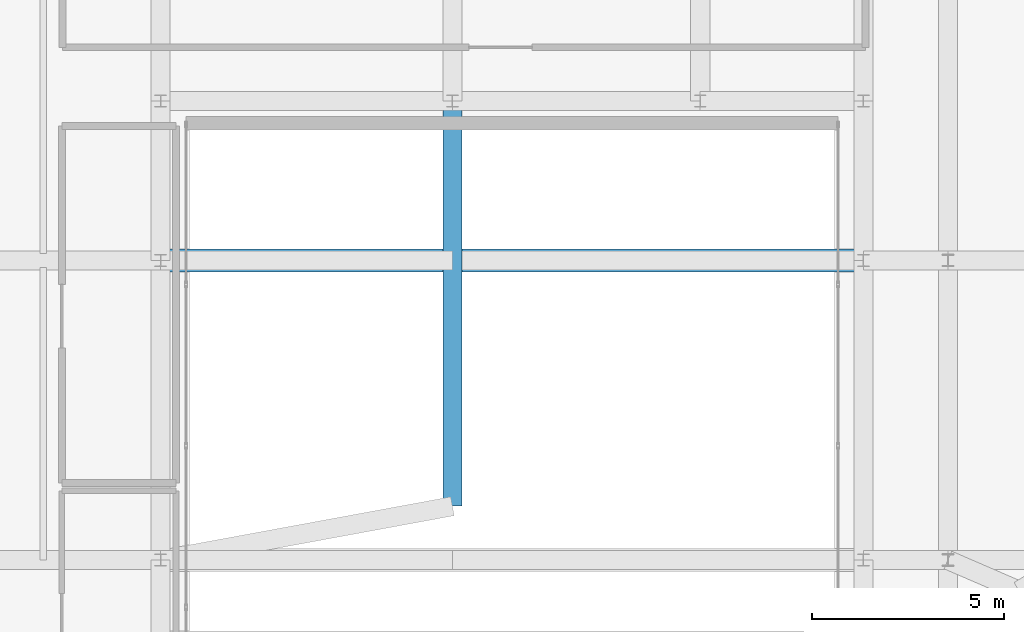
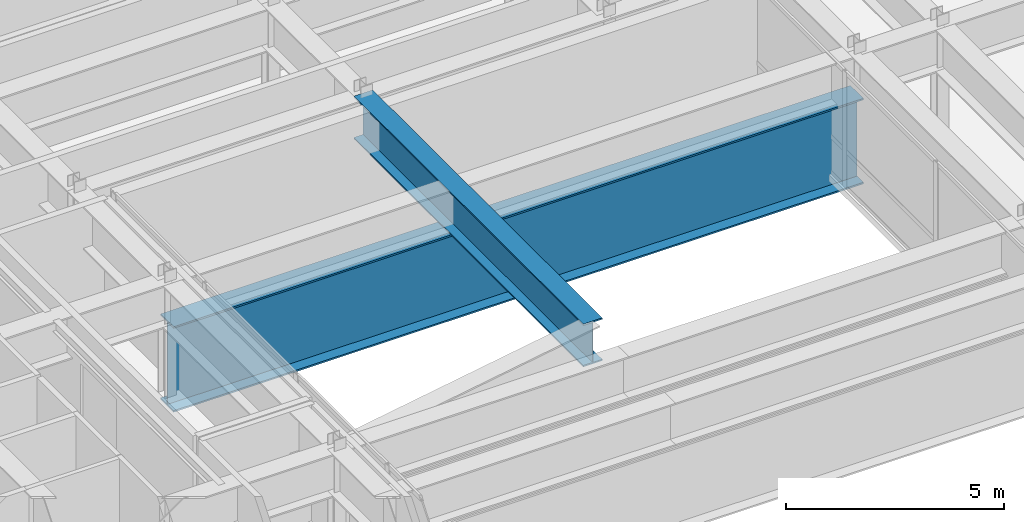
# One storey, part 9 of 21: 2 beams.
"""IFC4 building model written with IfcOpenShell, lengths in metres."""

from ifc_helpers import new_model, si_unit, direction, frame, origin, origin_2d, place, context, subcontext, project, spatial, i_section, extrude, source, transform, mapped, material, material_profile, profile_set, type_object, type_shapes, element, save


model = new_model("IFC4")

# Units and contexts
model_context = context("Model", 3, precision=1e-05, world=origin(), true_north=direction((0.0, 1.0)))
body_context = subcontext(model_context, "Body", "Model", "MODEL_VIEW")
ifc_project = project(units=[si_unit("LENGTHUNIT", "METRE"), si_unit("AREAUNIT", "SQUARE_METRE"), si_unit("VOLUMEUNIT", "CUBIC_METRE"), si_unit("PLANEANGLEUNIT", "RADIAN"), si_unit("MASSUNIT", "GRAM", prefix="KILO")], contexts=[model_context])

# Site, building, storey
site_placement = place(None, origin())
site = spatial("IfcSite", under=ifc_project, at=site_placement, CompositionType="ELEMENT")
building_placement = place(site_placement, origin())
building = spatial("IfcBuilding", under=site, at=building_placement, Name="Tolvann Quenvar Hotel", CompositionType="ELEMENT")
storey_placement = place(building_placement, frame((0.0, 0.0, 266.5)))
storey = spatial("IfcBuildingStorey", under=building, at=storey_placement, Name="L71", CompositionType="ELEMENT", Elevation=266.5)

# Beams
ifc_material = material(Name="Steel Grade 350", Category="steel")
ifc_material_profile_1 = material_profile(ifc_material, i_section(OverallWidth=0.60009765625, OverallDepth=2.39990234375, WebThickness=0.02001953125, FlangeThickness=0.044921875, at=origin_2d()), Name="2400WB655")
ifc_profile_set_1 = profile_set([ifc_material_profile_1], Name="Steel Grade 350")
beam_type_1 = type_object("IfcBeamType", Name="BM_TG_2400WB655", PredefinedType="USERDEFINED", material=ifc_profile_set_1)
shared_shape_1 = source(origin(), body_context, "Body", "SweptSolid", [
    extrude(i_section(OverallWidth=0.60009765625, OverallDepth=2.39990234375, WebThickness=0.02001953125, FlangeThickness=0.044921875, at=origin_2d()), origin(), (0.0, 0.0, 1.0), 18.300048828125),
])
type_shapes(beam_type_1, [shared_shape_1])
beam_1_placement = place(storey_placement, frame((14.449951171875, 16.0, 0.85009765625), z_axis=(1.0, 0.0, 0.0), x_axis=(0.0, 1.0, 0.0)))
element("IfcBeam", 1, at=beam_1_placement, inside=storey, type_object=beam_type_1, Name="TG-L71-CAR-Y16", ObjectType="TRANSFER GIRDER", PredefinedType="USERDEFINED", context=body_context, shape_type="MappedRepresentation", body=[
    mapped(shared_shape_1, transform((0.0, 0.0, 0.0), x_axis=(1.0, 0.0, 0.0), y_axis=(0.0, 1.0, 0.0), z_axis=(0.0, 0.0, 1.0), scale=1.0)),
])
ifc_material_profile_2 = material_profile(ifc_material, i_section(OverallWidth=0.5, OverallDepth=1.199951171875, WebThickness=0.01611328125, FlangeThickness=0.0400390625, at=origin_2d()), Name="1200WB455")
ifc_profile_set_2 = profile_set([ifc_material_profile_2], Name="Steel Grade 350")
beam_type_2 = type_object("IfcBeamType", Name="BM_TG_1200WB455", PredefinedType="USERDEFINED", material=ifc_profile_set_2)
shared_shape_2 = source(origin(), body_context, "Body", "SweptSolid", [
    extrude(i_section(OverallWidth=0.5, OverallDepth=1.199951171875, WebThickness=0.01611328125, FlangeThickness=0.0400390625, at=origin_2d()), origin(), (0.0, 0.0, 1.0), 10.5498046875),
])
type_shapes(beam_type_2, [shared_shape_2])
beam_2_placement = place(storey_placement, frame((22.050048828125, 9.60009765625, 2.64990234375), z_axis=(0.0, 1.0, 0.0), x_axis=(-1.0, 0.0, 0.0)))
element("IfcBeam", 2, at=beam_2_placement, inside=storey, type_object=beam_type_2, Name="TG-AUTO2-L71-E3-5", ObjectType="TRANSFER GIRDER", PredefinedType="USERDEFINED", context=body_context, shape_type="MappedRepresentation", body=[
    mapped(shared_shape_2, transform((0.0, 0.0, 0.0), x_axis=(1.0, 0.0, 0.0), y_axis=(0.0, 1.0, 0.0), z_axis=(0.0, 0.0, 1.0), scale=1.0)),
])

save(model, "model.ifc")
